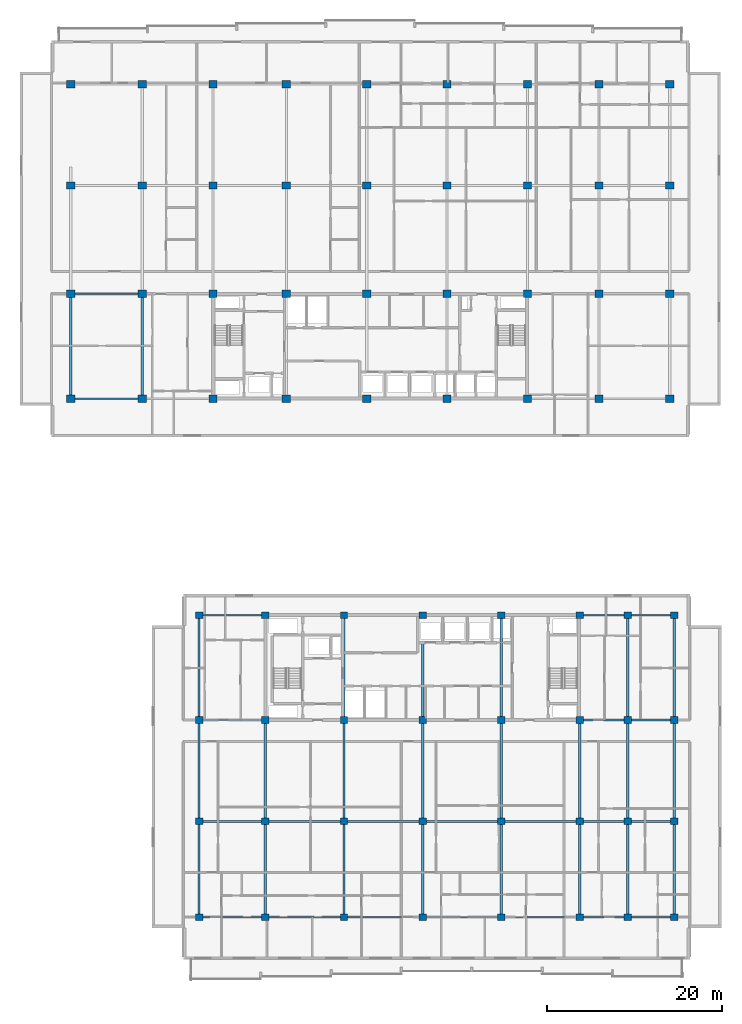
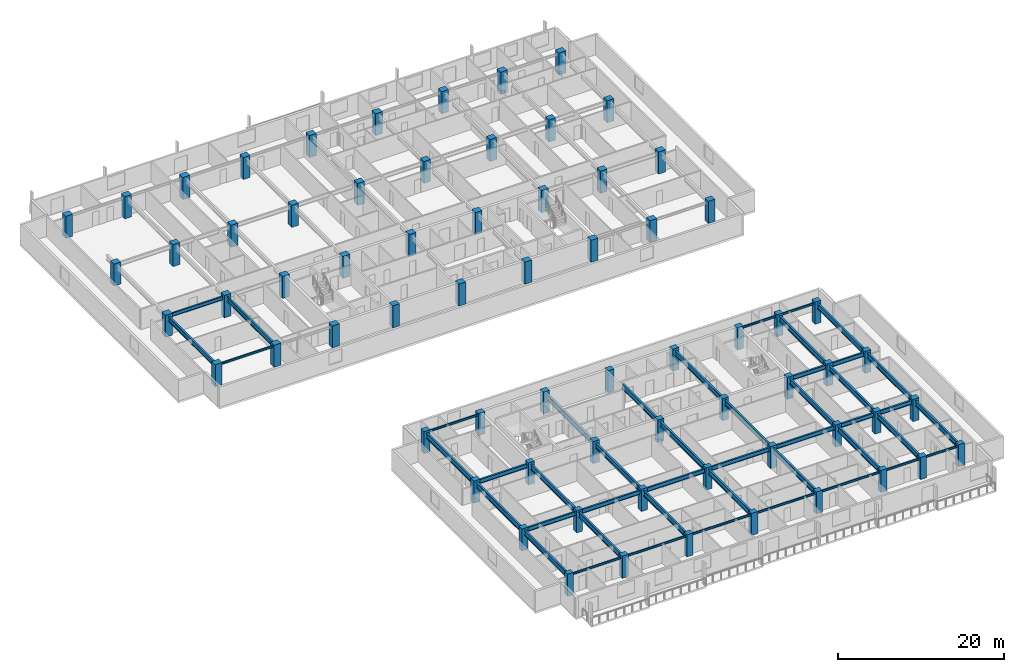
# One storey, part 1 of 22: 68 columns, 46 beams.
"""IFC4 building model written with IfcOpenShell, lengths in metres."""

from ifc_helpers import new_model, si_unit, direction, frame, origin, origin_2d, place, context, subcontext, project, spatial, rectangle, i_section, extrude, material, material_profile, profile_set, type_object, element, save


model = new_model("IFC4")

# Units and contexts
model_context = context("Model", 3, precision=1e-05, world=origin(), true_north=direction((0.0, 1.0)))
body_context = subcontext(model_context, "Body", "Model", "MODEL_VIEW")
ifc_project = project(units=[si_unit("LENGTHUNIT", "METRE"), si_unit("AREAUNIT", "SQUARE_METRE"), si_unit("VOLUMEUNIT", "CUBIC_METRE"), si_unit("PLANEANGLEUNIT", "RADIAN"), si_unit("MASSUNIT", "GRAM", prefix="KILO")], contexts=[model_context])

# Site, building, storey
site_placement = place(None, origin())
site = spatial("IfcSite", under=ifc_project, at=site_placement, CompositionType="ELEMENT")
building_placement = place(site_placement, origin())
building = spatial("IfcBuilding", under=site, at=building_placement, Name="Korimba Cascade Residences", CompositionType="ELEMENT")
storey_placement = place(building_placement, frame((0.0, 0.0, 126.300048828125)))
storey = spatial("IfcBuildingStorey", under=building, at=storey_placement, Name="L36", CompositionType="ELEMENT", Elevation=126.300048828125)

# Columns
ifc_material_1 = material(Name="Concrete C65/80", Category="concrete")
ifc_material_profile_1 = material_profile(ifc_material_1, rectangle(XDim=0.85009765625, YDim=0.75, at=origin_2d()), Name="Concrete C65/80")
ifc_profile_set_1 = profile_set([ifc_material_profile_1], Name="Concrete C65/80")
column_type_1 = type_object("IfcColumnType", Name="COL-RC-850", PredefinedType="COLUMN", material=ifc_profile_set_1)
for number, where, z_axis, x_axis, name in (
    (1, (74.5, -4.199951171875, 0.0), (0.0, 0.0, 1.0), (1.0, 0.0, 0.0), "L36 Tower 2 Column 1.1"),
    (2, (74.5, 6.800048828125, 0.0), (0.0, 0.0, 1.0), (1.0, 0.0, 0.0), "L36 Tower 2 Column 1.2"),
    (3, (74.5, 18.39990234375, 0.0), (0.0, 0.0, 1.0), (1.0, 0.0, 0.0), "L36 Tower 2 Column 1.3"),
    (4, (74.5, 30.39990234375, 0.0), (0.0, 0.0, 1.0), (1.0, 0.0, 0.0), "L36 Tower 2 Column 1.4"),
    (5, (82.10009765625, -4.199951171875, 0.0), (0.0, 0.0, 1.0), (1.0, 0.0, 0.0), "L36 Tower 2 Column 2.1"),
    (6, (82.10009765625, 6.800048828125, 0.0), (0.0, 0.0, 1.0), (1.0, 0.0, 0.0), "L36 Tower 2 Column 2.2"),
    (7, (82.10009765625, 18.39990234375, 0.0), (0.0, 0.0, 1.0), (1.0, 0.0, 0.0), "L36 Tower 2 Column 2.3"),
    (8, (82.10009765625, 30.39990234375, 0.0), (0.0, 0.0, 1.0), (1.0, 0.0, 0.0), "L36 Tower 2 Column 2.4"),
    (9, (91.10009765625, -4.199951171875, 0.0), (0.0, 0.0, 1.0), (1.0, 0.0, 0.0), "L36 Tower 2 Column 3.1"),
    (10, (91.10009765625, 6.800048828125, 0.0), (0.0, 0.0, 1.0), (1.0, 0.0, 0.0), "L36 Tower 2 Column 3.2"),
    (11, (91.10009765625, 18.39990234375, 0.0), (0.0, 0.0, 1.0), (1.0, 0.0, 0.0), "L36 Tower 2 Column 3.3"),
    (12, (91.10009765625, 30.39990234375, 0.0), (0.0, 0.0, 1.0), (1.0, 0.0, 0.0), "L36 Tower 2 Column 3.4"),
    (13, (100.10009765625, -4.199951171875, 0.0), (0.0, 0.0, 1.0), (1.0, 0.0, 0.0), "L36 Tower 2 Column 4.1"),
    (14, (100.10009765625, 6.800048828125, 0.0), (0.0, 0.0, 1.0), (1.0, 0.0, 0.0), "L36 Tower 2 Column 4.2"),
    (15, (100.10009765625, 18.39990234375, 0.0), (0.0, 0.0, 1.0), (1.0, 0.0, 0.0), "L36 Tower 2 Column 4.3"),
    (16, (100.10009765625, 30.39990234375, 0.0), (0.0, 0.0, 1.0), (1.0, 0.0, 0.0), "L36 Tower 2 Column 4.4"),
    (17, (109.10009765625, -4.199951171875, 0.0), (0.0, 0.0, 1.0), (1.0, 0.0, 0.0), "L36 Tower 2 Column 5.1"),
    (18, (109.10009765625, 6.800048828125, 0.0), (0.0, 0.0, 1.0), (1.0, 0.0, 0.0), "L36 Tower 2 Column 5.2"),
    (19, (109.10009765625, 18.39990234375, 0.0), (0.0, 0.0, 1.0), (1.0, 0.0, 0.0), "L36 Tower 2 Column 5.3"),
    (20, (109.10009765625, 30.39990234375, 0.0), (0.0, 0.0, 1.0), (1.0, 0.0, 0.0), "L36 Tower 2 Column 5.4"),
    (21, (118.10009765625, -4.199951171875, 0.0), (0.0, 0.0, 1.0), (1.0, 0.0, 0.0), "L36 Tower 2 Column 6.1"),
    (22, (118.10009765625, 6.800048828125, 0.0), (0.0, 0.0, 1.0), (1.0, 0.0, 0.0), "L36 Tower 2 Column 6.2"),
    (23, (118.10009765625, 18.39990234375, 0.0), (0.0, 0.0, 1.0), (1.0, 0.0, 0.0), "L36 Tower 2 Column 6.3"),
    (24, (118.10009765625, 30.39990234375, 0.0), (0.0, 0.0, 1.0), (1.0, 0.0, 0.0), "L36 Tower 2 Column 6.4"),
    (25, (123.60009765625, -4.199951171875, 0.0), (0.0, 0.0, 1.0), (1.0, 0.0, 0.0), "L36 Tower 2 Column 7.1"),
    (26, (123.60009765625, 6.800048828125, 0.0), (0.0, 0.0, 1.0), (1.0, 0.0, 0.0), "L36 Tower 2 Column 7.2"),
    (27, (123.60009765625, 18.39990234375, 0.0), (0.0, 0.0, 1.0), (1.0, 0.0, 0.0), "L36 Tower 2 Column 7.3"),
    (28, (123.60009765625, 30.39990234375, 0.0), (0.0, 0.0, 1.0), (1.0, 0.0, 0.0), "L36 Tower 2 Column 7.4"),
    (29, (128.89990234375, -4.199951171875, 0.0), (0.0, 0.0, 1.0), (1.0, 0.0, 0.0), "L36 Tower 2 Column 8.1"),
    (30, (128.89990234375, 6.800048828125, 0.0), (0.0, 0.0, 1.0), (1.0, 0.0, 0.0), "L36 Tower 2 Column 8.2"),
    (31, (128.89990234375, 18.39990234375, 0.0), (0.0, 0.0, 1.0), (1.0, 0.0, 0.0), "L36 Tower 2 Column 8.3"),
    (32, (128.89990234375, 30.39990234375, 0.0), (0.0, 0.0, 1.0), (1.0, 0.0, 0.0), "L36 Tower 2 Column 8.4"),
):
    element("IfcColumn", number, at=place(storey_placement, frame(where, z_axis=z_axis, x_axis=x_axis)), inside=storey, type_object=column_type_1, Name=name, PredefinedType="COLUMN", context=body_context, shape_type="SweptSolid", body=[
        extrude(rectangle(XDim=0.85009765625, YDim=0.75, at=origin_2d()), origin(), (0.0, 0.0, 1.0), 3.25),
    ])
ifc_material_profile_2 = material_profile(ifc_material_1, rectangle(XDim=0.949951171875, YDim=0.85009765625, at=origin_2d()), Name="Concrete C65/80")
ifc_profile_set_2 = profile_set([ifc_material_profile_2], Name="Concrete C65/80")
column_type_2 = type_object("IfcColumnType", Name="COL-RC-950", PredefinedType="COLUMN", material=ifc_profile_set_2)
for number, where, z_axis, x_axis, name in (
    (33, (59.800048828125, 55.199951171875, 0.0), (0.0, 0.0, 1.0), (1.0, 0.0, 0.0), "L36 Tower 1 Column 1.1"),
    (34, (59.800048828125, 67.199951171875, 0.0), (0.0, 0.0, 1.0), (1.0, 0.0, 0.0), "L36 Tower 1 Column 1.2"),
    (35, (59.800048828125, 79.60009765625, 0.0), (0.0, 0.0, 1.0), (1.0, 0.0, 0.0), "L36 Tower 1 Column 1.3"),
    (36, (59.800048828125, 91.199951171875, 0.0), (0.0, 0.0, 1.0), (1.0, 0.0, 0.0), "L36 Tower 1 Column 1.4"),
    (37, (68.0, 55.199951171875, 0.0), (0.0, 0.0, 1.0), (1.0, 0.0, 0.0), "L36 Tower 1 Column 2.1"),
    (38, (68.0, 67.199951171875, 0.0), (0.0, 0.0, 1.0), (1.0, 0.0, 0.0), "L36 Tower 1 Column 2.2"),
    (39, (68.0, 79.60009765625, 0.0), (0.0, 0.0, 1.0), (1.0, 0.0, 0.0), "L36 Tower 1 Column 2.3"),
    (40, (68.0, 91.199951171875, 0.0), (0.0, 0.0, 1.0), (1.0, 0.0, 0.0), "L36 Tower 1 Column 2.4"),
    (41, (76.10009765625, 55.199951171875, 0.0), (0.0, 0.0, 1.0), (1.0, 0.0, 0.0), "L36 Tower 1 Column 3.1"),
    (42, (76.10009765625, 67.199951171875, 0.0), (0.0, 0.0, 1.0), (1.0, 0.0, 0.0), "L36 Tower 1 Column 3.2"),
    (43, (76.10009765625, 79.60009765625, 0.0), (0.0, 0.0, 1.0), (1.0, 0.0, 0.0), "L36 Tower 1 Column 3.3"),
    (44, (76.10009765625, 91.199951171875, 0.0), (0.0, 0.0, 1.0), (1.0, 0.0, 0.0), "L36 Tower 1 Column 3.4"),
    (45, (84.5, 55.199951171875, 0.0), (0.0, 0.0, 1.0), (1.0, 0.0, 0.0), "L36 Tower 1 Column 4.1"),
    (46, (84.5, 67.199951171875, 0.0), (0.0, 0.0, 1.0), (1.0, 0.0, 0.0), "L36 Tower 1 Column 4.2"),
    (47, (84.5, 79.60009765625, 0.0), (0.0, 0.0, 1.0), (1.0, 0.0, 0.0), "L36 Tower 1 Column 4.3"),
    (48, (84.5, 91.199951171875, 0.0), (0.0, 0.0, 1.0), (1.0, 0.0, 0.0), "L36 Tower 1 Column 4.4"),
    (49, (93.699951171875, 55.199951171875, 0.0), (0.0, 0.0, 1.0), (1.0, 0.0, 0.0), "L36 Tower 1 Column 5.1"),
    (50, (93.699951171875, 67.199951171875, 0.0), (0.0, 0.0, 1.0), (1.0, 0.0, 0.0), "L36 Tower 1 Column 5.2"),
    (51, (93.699951171875, 79.60009765625, 0.0), (0.0, 0.0, 1.0), (1.0, 0.0, 0.0), "L36 Tower 1 Column 5.3"),
    (52, (93.699951171875, 91.199951171875, 0.0), (0.0, 0.0, 1.0), (1.0, 0.0, 0.0), "L36 Tower 1 Column 5.4"),
    (53, (102.89990234375, 55.199951171875, 0.0), (0.0, 0.0, 1.0), (1.0, 0.0, 0.0), "L36 Tower 1 Column 6.1"),
    (54, (102.89990234375, 67.199951171875, 0.0), (0.0, 0.0, 1.0), (1.0, 0.0, 0.0), "L36 Tower 1 Column 6.2"),
    (55, (102.89990234375, 79.60009765625, 0.0), (0.0, 0.0, 1.0), (1.0, 0.0, 0.0), "L36 Tower 1 Column 6.3"),
    (56, (102.89990234375, 91.199951171875, 0.0), (0.0, 0.0, 1.0), (1.0, 0.0, 0.0), "L36 Tower 1 Column 6.4"),
    (57, (112.10009765625, 55.199951171875, 0.0), (0.0, 0.0, 1.0), (1.0, 0.0, 0.0), "L36 Tower 1 Column 7.1"),
    (58, (112.10009765625, 67.199951171875, 0.0), (0.0, 0.0, 1.0), (1.0, 0.0, 0.0), "L36 Tower 1 Column 7.2"),
    (59, (112.10009765625, 79.60009765625, 0.0), (0.0, 0.0, 1.0), (1.0, 0.0, 0.0), "L36 Tower 1 Column 7.3"),
    (60, (112.10009765625, 91.199951171875, 0.0), (0.0, 0.0, 1.0), (1.0, 0.0, 0.0), "L36 Tower 1 Column 7.4"),
    (61, (120.300048828125, 55.199951171875, 0.0), (0.0, 0.0, 1.0), (1.0, 0.0, 0.0), "L36 Tower 1 Column 8.1"),
    (62, (120.300048828125, 67.199951171875, 0.0), (0.0, 0.0, 1.0), (1.0, 0.0, 0.0), "L36 Tower 1 Column 8.2"),
    (63, (120.300048828125, 79.60009765625, 0.0), (0.0, 0.0, 1.0), (1.0, 0.0, 0.0), "L36 Tower 1 Column 8.3"),
    (64, (120.300048828125, 91.199951171875, 0.0), (0.0, 0.0, 1.0), (1.0, 0.0, 0.0), "L36 Tower 1 Column 8.4"),
    (65, (128.39990234375, 55.199951171875, 0.0), (0.0, 0.0, 1.0), (1.0, 0.0, 0.0), "L36 Tower 1 Column 9.1"),
    (66, (128.39990234375, 67.199951171875, 0.0), (0.0, 0.0, 1.0), (1.0, 0.0, 0.0), "L36 Tower 1 Column 9.2"),
    (67, (128.39990234375, 79.60009765625, 0.0), (0.0, 0.0, 1.0), (1.0, 0.0, 0.0), "L36 Tower 1 Column 9.3"),
    (68, (128.39990234375, 91.199951171875, 0.0), (0.0, 0.0, 1.0), (1.0, 0.0, 0.0), "L36 Tower 1 Column 9.4"),
):
    element("IfcColumn", number, at=place(storey_placement, frame(where, z_axis=z_axis, x_axis=x_axis)), inside=storey, type_object=column_type_2, Name=name, PredefinedType="COLUMN", context=body_context, shape_type="SweptSolid", body=[
        extrude(rectangle(XDim=0.949951171875, YDim=0.85009765625, at=origin_2d()), origin(), (0.0, 0.0, 1.0), 3.25),
    ])

# Beams
ifc_material_2 = material(Name="Steel S355", Category="steel")
ifc_material_profile_3 = material_profile(ifc_material_2, i_section(OverallWidth=0.165771484375, OverallDepth=0.306640625, WebThickness=0.006591796875, FlangeThickness=0.01171875, FilletRadius=0.0087890625, at=origin_2d()), Name="Steel S355")
ifc_profile_set_3 = profile_set([ifc_material_profile_3], Name="Steel S355")
beam_type_1 = type_object("IfcBeamType", Name="BM-STL-UB305", PredefinedType="SPANDREL", material=ifc_profile_set_3)
beam_1_placement = place(storey_placement, frame((60.27490234375, 55.199951171875, 2.816650390625), z_axis=(1.0, 0.0, 0.0), x_axis=(0.0, 1.0, 0.0)))
element("IfcBeam", 69, at=beam_1_placement, inside=storey, type_object=beam_type_1, Name="L36 T1 E-W Girder Y1 Bay 1", PredefinedType="SPANDREL", context=body_context, shape_type="SweptSolid", body=[
    extrude(i_section(OverallWidth=0.165771484375, OverallDepth=0.306640625, WebThickness=0.006591796875, FlangeThickness=0.01171875, FilletRadius=0.0087890625, at=origin_2d()), origin(), (0.0, 0.0, 1.0), 7.25),
])
beam_2_placement = place(storey_placement, frame((74.925048828125, -4.199951171875, 2.816650390625), z_axis=(1.0, 0.0, 0.0), x_axis=(0.0, 1.0, 0.0)))
element("IfcBeam", 70, at=beam_2_placement, inside=storey, type_object=beam_type_1, Name="L36 T2 E-W Girder Y1 Bay 1", PredefinedType="SPANDREL", context=body_context, shape_type="SweptSolid", body=[
    extrude(i_section(OverallWidth=0.165771484375, OverallDepth=0.306640625, WebThickness=0.006591796875, FlangeThickness=0.01171875, FilletRadius=0.0087890625, at=origin_2d()), origin(), (0.0, 0.0, 1.0), 6.75),
])
for number, where, z_axis, x_axis, name in (
    (71, (82.52490234375, -4.199951171875, 2.816650390625), (1.0, 0.0, 0.0), (0.0, 1.0, 0.0), "L36 T2 E-W Girder Y1 Bay 2"),
    (72, (91.52490234375, -4.199951171875, 2.816650390625), (1.0, 0.0, 0.0), (0.0, 1.0, 0.0), "L36 T2 E-W Girder Y1 Bay 3"),
    (73, (100.52490234375, -4.199951171875, 2.816650390625), (1.0, 0.0, 0.0), (0.0, 1.0, 0.0), "L36 T2 E-W Girder Y1 Bay 4"),
    (74, (109.52490234375, -4.199951171875, 2.816650390625), (1.0, 0.0, 0.0), (0.0, 1.0, 0.0), "L36 T2 E-W Girder Y1 Bay 5"),
):
    element("IfcBeam", number, at=place(storey_placement, frame(where, z_axis=z_axis, x_axis=x_axis)), inside=storey, type_object=beam_type_1, Name=name, PredefinedType="SPANDREL", context=body_context, shape_type="SweptSolid", body=[
        extrude(i_section(OverallWidth=0.165771484375, OverallDepth=0.306640625, WebThickness=0.006591796875, FlangeThickness=0.01171875, FilletRadius=0.0087890625, at=origin_2d()), origin(), (0.0, 0.0, 1.0), 8.150146484375),
    ])
beam_3_placement = place(storey_placement, frame((118.52490234375, -4.199951171875, 2.816650390625), z_axis=(1.0, 0.0, 0.0), x_axis=(0.0, 1.0, 0.0)))
element("IfcBeam", 75, at=beam_3_placement, inside=storey, type_object=beam_type_1, Name="L36 T2 E-W Girder Y1 Bay 6", PredefinedType="SPANDREL", context=body_context, shape_type="SweptSolid", body=[
    extrude(i_section(OverallWidth=0.165771484375, OverallDepth=0.306640625, WebThickness=0.006591796875, FlangeThickness=0.01171875, FilletRadius=0.0087890625, at=origin_2d()), origin(), (0.0, 0.0, 1.0), 4.650146484375),
])
beam_4_placement = place(storey_placement, frame((124.02490234375, -4.199951171875, 2.816650390625), z_axis=(1.0, 0.0, 0.0), x_axis=(0.0, 1.0, 0.0)))
element("IfcBeam", 76, at=beam_4_placement, inside=storey, type_object=beam_type_1, Name="L36 T2 E-W Girder Y1 Bay 7", PredefinedType="SPANDREL", context=body_context, shape_type="SweptSolid", body=[
    extrude(i_section(OverallWidth=0.165771484375, OverallDepth=0.306640625, WebThickness=0.006591796875, FlangeThickness=0.01171875, FilletRadius=0.0087890625, at=origin_2d()), origin(), (0.0, 0.0, 1.0), 4.4501953125),
])
beam_5_placement = place(storey_placement, frame((74.925048828125, 30.39990234375, 2.816650390625), z_axis=(1.0, 0.0, 0.0), x_axis=(0.0, 1.0, 0.0)))
element("IfcBeam", 77, at=beam_5_placement, inside=storey, type_object=beam_type_1, Name="L36 T2 E-W Girder Y4 Bay 1", PredefinedType="SPANDREL", context=body_context, shape_type="SweptSolid", body=[
    extrude(i_section(OverallWidth=0.165771484375, OverallDepth=0.306640625, WebThickness=0.006591796875, FlangeThickness=0.01171875, FilletRadius=0.0087890625, at=origin_2d()), origin(), (0.0, 0.0, 1.0), 6.75),
])
beam_6_placement = place(storey_placement, frame((118.52490234375, 30.39990234375, 2.816650390625), z_axis=(1.0, 0.0, 0.0), x_axis=(0.0, 1.0, 0.0)))
element("IfcBeam", 78, at=beam_6_placement, inside=storey, type_object=beam_type_1, Name="L36 T2 E-W Girder Y4 Bay 6", PredefinedType="SPANDREL", context=body_context, shape_type="SweptSolid", body=[
    extrude(i_section(OverallWidth=0.165771484375, OverallDepth=0.306640625, WebThickness=0.006591796875, FlangeThickness=0.01171875, FilletRadius=0.0087890625, at=origin_2d()), origin(), (0.0, 0.0, 1.0), 4.650146484375),
])
beam_7_placement = place(storey_placement, frame((124.02490234375, 30.39990234375, 2.816650390625), z_axis=(1.0, 0.0, 0.0), x_axis=(0.0, 1.0, 0.0)))
element("IfcBeam", 79, at=beam_7_placement, inside=storey, type_object=beam_type_1, Name="L36 T2 E-W Girder Y4 Bay 7", PredefinedType="SPANDREL", context=body_context, shape_type="SweptSolid", body=[
    extrude(i_section(OverallWidth=0.165771484375, OverallDepth=0.306640625, WebThickness=0.006591796875, FlangeThickness=0.01171875, FilletRadius=0.0087890625, at=origin_2d()), origin(), (0.0, 0.0, 1.0), 4.4501953125),
])
ifc_material_profile_4 = material_profile(ifc_material_2, i_section(OverallWidth=0.2099609375, OverallDepth=0.53662109375, WebThickness=0.0107421875, FlangeThickness=0.017333984375, FilletRadius=0.0126953125, at=origin_2d()), Name="Steel S355")
ifc_profile_set_4 = profile_set([ifc_material_profile_4], Name="Steel S355")
beam_type_2 = type_object("IfcBeamType", Name="BM-STL-UB533", PredefinedType="BEAM", material=ifc_profile_set_4)
beam_8_placement = place(storey_placement, frame((60.27490234375, 67.199951171875, 2.70166015625), z_axis=(1.0, 0.0, 0.0), x_axis=(0.0, 1.0, 0.0)))
element("IfcBeam", 80, at=beam_8_placement, inside=storey, type_object=beam_type_2, Name="L36 T1 E-W Girder Y2 Bay 1", PredefinedType="BEAM", context=body_context, shape_type="SweptSolid", body=[
    extrude(i_section(OverallWidth=0.2099609375, OverallDepth=0.53662109375, WebThickness=0.0107421875, FlangeThickness=0.017333984375, FilletRadius=0.0126953125, at=origin_2d()), origin(), (0.0, 0.0, 1.0), 7.25),
])
ifc_material_profile_5 = material_profile(ifc_material_2, i_section(OverallWidth=0.22900390625, OverallDepth=0.6123046875, WebThickness=0.011962890625, FlangeThickness=0.01953125, FilletRadius=0.0126953125, at=origin_2d()), Name="Steel S355")
ifc_profile_set_5 = profile_set([ifc_material_profile_5], Name="Steel S355")
beam_type_3 = type_object("IfcBeamType", Name="BM-STL-UB610B", PredefinedType="BEAM", material=ifc_profile_set_5)
beam_9_placement = place(storey_placement, frame((74.925048828125, 6.800048828125, 2.663818359375), z_axis=(1.0, 0.0, 0.0), x_axis=(0.0, 1.0, 0.0)))
element("IfcBeam", 81, at=beam_9_placement, inside=storey, type_object=beam_type_3, Name="L36 T2 E-W Girder Y2 Bay 1", PredefinedType="BEAM", context=body_context, shape_type="SweptSolid", body=[
    extrude(i_section(OverallWidth=0.22900390625, OverallDepth=0.6123046875, WebThickness=0.011962890625, FlangeThickness=0.01953125, FilletRadius=0.0126953125, at=origin_2d()), origin(), (0.0, 0.0, 1.0), 6.75),
])
for number, where, z_axis, x_axis, name in (
    (82, (82.52490234375, 6.800048828125, 2.663818359375), (1.0, 0.0, 0.0), (0.0, 1.0, 0.0), "L36 T2 E-W Girder Y2 Bay 2"),
    (83, (91.52490234375, 6.800048828125, 2.663818359375), (1.0, 0.0, 0.0), (0.0, 1.0, 0.0), "L36 T2 E-W Girder Y2 Bay 3"),
    (84, (100.52490234375, 6.800048828125, 2.663818359375), (1.0, 0.0, 0.0), (0.0, 1.0, 0.0), "L36 T2 E-W Girder Y2 Bay 4"),
    (85, (109.52490234375, 6.800048828125, 2.663818359375), (1.0, 0.0, 0.0), (0.0, 1.0, 0.0), "L36 T2 E-W Girder Y2 Bay 5"),
):
    element("IfcBeam", number, at=place(storey_placement, frame(where, z_axis=z_axis, x_axis=x_axis)), inside=storey, type_object=beam_type_3, Name=name, PredefinedType="BEAM", context=body_context, shape_type="SweptSolid", body=[
        extrude(i_section(OverallWidth=0.22900390625, OverallDepth=0.6123046875, WebThickness=0.011962890625, FlangeThickness=0.01953125, FilletRadius=0.0126953125, at=origin_2d()), origin(), (0.0, 0.0, 1.0), 8.150146484375),
    ])
beam_10_placement = place(storey_placement, frame((118.52490234375, 6.800048828125, 2.663818359375), z_axis=(1.0, 0.0, 0.0), x_axis=(0.0, 1.0, 0.0)))
element("IfcBeam", 86, at=beam_10_placement, inside=storey, type_object=beam_type_3, Name="L36 T2 E-W Girder Y2 Bay 6", PredefinedType="BEAM", context=body_context, shape_type="SweptSolid", body=[
    extrude(i_section(OverallWidth=0.22900390625, OverallDepth=0.6123046875, WebThickness=0.011962890625, FlangeThickness=0.01953125, FilletRadius=0.0126953125, at=origin_2d()), origin(), (0.0, 0.0, 1.0), 4.650146484375),
])
beam_11_placement = place(storey_placement, frame((124.02490234375, 6.800048828125, 2.663818359375), z_axis=(1.0, 0.0, 0.0), x_axis=(0.0, 1.0, 0.0)))
element("IfcBeam", 87, at=beam_11_placement, inside=storey, type_object=beam_type_3, Name="L36 T2 E-W Girder Y2 Bay 7", PredefinedType="BEAM", context=body_context, shape_type="SweptSolid", body=[
    extrude(i_section(OverallWidth=0.22900390625, OverallDepth=0.6123046875, WebThickness=0.011962890625, FlangeThickness=0.01953125, FilletRadius=0.0126953125, at=origin_2d()), origin(), (0.0, 0.0, 1.0), 4.4501953125),
])
beam_12_placement = place(storey_placement, frame((74.925048828125, 18.39990234375, 2.663818359375), z_axis=(1.0, 0.0, 0.0), x_axis=(0.0, 1.0, 0.0)))
element("IfcBeam", 88, at=beam_12_placement, inside=storey, type_object=beam_type_3, Name="L36 T2 E-W Girder Y3 Bay 1", PredefinedType="BEAM", context=body_context, shape_type="SweptSolid", body=[
    extrude(i_section(OverallWidth=0.22900390625, OverallDepth=0.6123046875, WebThickness=0.011962890625, FlangeThickness=0.01953125, FilletRadius=0.0126953125, at=origin_2d()), origin(), (0.0, 0.0, 1.0), 6.75),
])
beam_13_placement = place(storey_placement, frame((118.52490234375, 18.39990234375, 2.663818359375), z_axis=(1.0, 0.0, 0.0), x_axis=(0.0, 1.0, 0.0)))
element("IfcBeam", 89, at=beam_13_placement, inside=storey, type_object=beam_type_3, Name="L36 T2 E-W Girder Y3 Bay 6", PredefinedType="BEAM", context=body_context, shape_type="SweptSolid", body=[
    extrude(i_section(OverallWidth=0.22900390625, OverallDepth=0.6123046875, WebThickness=0.011962890625, FlangeThickness=0.01953125, FilletRadius=0.0126953125, at=origin_2d()), origin(), (0.0, 0.0, 1.0), 4.650146484375),
])
beam_14_placement = place(storey_placement, frame((124.02490234375, 18.39990234375, 2.663818359375), z_axis=(1.0, 0.0, 0.0), x_axis=(0.0, 1.0, 0.0)))
element("IfcBeam", 90, at=beam_14_placement, inside=storey, type_object=beam_type_3, Name="L36 T2 E-W Girder Y3 Bay 7", PredefinedType="BEAM", context=body_context, shape_type="SweptSolid", body=[
    extrude(i_section(OverallWidth=0.22900390625, OverallDepth=0.6123046875, WebThickness=0.011962890625, FlangeThickness=0.01953125, FilletRadius=0.0126953125, at=origin_2d()), origin(), (0.0, 0.0, 1.0), 4.4501953125),
])
ifc_material_profile_6 = material_profile(ifc_material_2, i_section(OverallWidth=0.255859375, OverallDepth=0.69287109375, WebThickness=0.014404296875, FlangeThickness=0.023681640625, FilletRadius=0.01513671875, at=origin_2d()), Name="Steel S355")
ifc_profile_set_6 = profile_set([ifc_material_profile_6], Name="Steel S355")
beam_type_4 = type_object("IfcBeamType", Name="BM-STL-UB686", PredefinedType="BEAM", material=ifc_profile_set_6)
for number, where, z_axis, x_axis, name in (
    (91, (59.800048828125, 55.625, 2.62353515625), (0.0, 1.0, 0.0), (-1.0, 0.0, 0.0), "L36 T1 N-S Girder X1 Seg 1"),
    (92, (68.0, 55.625, 2.62353515625), (0.0, 1.0, 0.0), (-1.0, 0.0, 0.0), "L36 T1 N-S Girder X2 Seg 1"),
):
    element("IfcBeam", number, at=place(storey_placement, frame(where, z_axis=z_axis, x_axis=x_axis)), inside=storey, type_object=beam_type_4, Name=name, PredefinedType="BEAM", context=body_context, shape_type="SweptSolid", body=[
        extrude(i_section(OverallWidth=0.255859375, OverallDepth=0.69287109375, WebThickness=0.014404296875, FlangeThickness=0.023681640625, FilletRadius=0.01513671875, at=origin_2d()), origin(), (0.0, 0.0, 1.0), 11.14990234375),
    ])
ifc_material_profile_7 = material_profile(ifc_material_2, i_section(OverallWidth=0.26806640625, OverallDepth=0.769775390625, WebThickness=0.015625, FlangeThickness=0.025390625, FilletRadius=0.0166015625, at=origin_2d()), Name="Steel S355")
ifc_profile_set_7 = profile_set([ifc_material_profile_7], Name="Steel S355")
beam_type_5 = type_object("IfcBeamType", Name="BM-STL-UB762", PredefinedType="BEAM", material=ifc_profile_set_7)
beam_15_placement = place(storey_placement, frame((74.5, -3.824951171875, 2.5849609375), z_axis=(0.0, 1.0, 0.0), x_axis=(-1.0, 0.0, 0.0)))
element("IfcBeam", 93, at=beam_15_placement, inside=storey, type_object=beam_type_5, Name="L36 T2 N-S Girder X1 Seg 1", PredefinedType="BEAM", context=body_context, shape_type="SweptSolid", body=[
    extrude(i_section(OverallWidth=0.26806640625, OverallDepth=0.769775390625, WebThickness=0.015625, FlangeThickness=0.025390625, FilletRadius=0.0166015625, at=origin_2d()), origin(), (0.0, 0.0, 1.0), 10.25),
])
beam_16_placement = place(storey_placement, frame((74.5, 7.175048828125, 2.5849609375), z_axis=(0.0, 1.0, 0.0), x_axis=(-1.0, 0.0, 0.0)))
element("IfcBeam", 94, at=beam_16_placement, inside=storey, type_object=beam_type_5, Name="L36 T2 N-S Girder X1 Seg 2", PredefinedType="BEAM", context=body_context, shape_type="SweptSolid", body=[
    extrude(i_section(OverallWidth=0.26806640625, OverallDepth=0.769775390625, WebThickness=0.015625, FlangeThickness=0.025390625, FilletRadius=0.0166015625, at=origin_2d()), origin(), (0.0, 0.0, 1.0), 10.849853515625),
])
beam_17_placement = place(storey_placement, frame((74.5, 18.77490234375, 2.5849609375), z_axis=(0.0, 1.0, 0.0), x_axis=(-1.0, 0.0, 0.0)))
element("IfcBeam", 95, at=beam_17_placement, inside=storey, type_object=beam_type_5, Name="L36 T2 N-S Girder X1 Seg 3", PredefinedType="BEAM", context=body_context, shape_type="SweptSolid", body=[
    extrude(i_section(OverallWidth=0.26806640625, OverallDepth=0.769775390625, WebThickness=0.015625, FlangeThickness=0.025390625, FilletRadius=0.0166015625, at=origin_2d()), origin(), (0.0, 0.0, 1.0), 11.25),
])
beam_18_placement = place(storey_placement, frame((82.10009765625, -3.824951171875, 2.5849609375), z_axis=(0.0, 1.0, 0.0), x_axis=(-1.0, 0.0, 0.0)))
element("IfcBeam", 96, at=beam_18_placement, inside=storey, type_object=beam_type_5, Name="L36 T2 N-S Girder X2 Seg 1", PredefinedType="BEAM", context=body_context, shape_type="SweptSolid", body=[
    extrude(i_section(OverallWidth=0.26806640625, OverallDepth=0.769775390625, WebThickness=0.015625, FlangeThickness=0.025390625, FilletRadius=0.0166015625, at=origin_2d()), origin(), (0.0, 0.0, 1.0), 10.25),
])
beam_19_placement = place(storey_placement, frame((82.10009765625, 7.175048828125, 2.5849609375), z_axis=(0.0, 1.0, 0.0), x_axis=(-1.0, 0.0, 0.0)))
element("IfcBeam", 97, at=beam_19_placement, inside=storey, type_object=beam_type_5, Name="L36 T2 N-S Girder X2 Seg 2", PredefinedType="BEAM", context=body_context, shape_type="SweptSolid", body=[
    extrude(i_section(OverallWidth=0.26806640625, OverallDepth=0.769775390625, WebThickness=0.015625, FlangeThickness=0.025390625, FilletRadius=0.0166015625, at=origin_2d()), origin(), (0.0, 0.0, 1.0), 10.849853515625),
])
beam_20_placement = place(storey_placement, frame((91.10009765625, -3.824951171875, 2.5849609375), z_axis=(0.0, 1.0, 0.0), x_axis=(-1.0, 0.0, 0.0)))
element("IfcBeam", 98, at=beam_20_placement, inside=storey, type_object=beam_type_5, Name="L36 T2 N-S Girder X3 Seg 1", PredefinedType="BEAM", context=body_context, shape_type="SweptSolid", body=[
    extrude(i_section(OverallWidth=0.26806640625, OverallDepth=0.769775390625, WebThickness=0.015625, FlangeThickness=0.025390625, FilletRadius=0.0166015625, at=origin_2d()), origin(), (0.0, 0.0, 1.0), 10.25),
])
beam_21_placement = place(storey_placement, frame((91.10009765625, 7.175048828125, 2.5849609375), z_axis=(0.0, 1.0, 0.0), x_axis=(-1.0, 0.0, 0.0)))
element("IfcBeam", 99, at=beam_21_placement, inside=storey, type_object=beam_type_5, Name="L36 T2 N-S Girder X3 Seg 2", PredefinedType="BEAM", context=body_context, shape_type="SweptSolid", body=[
    extrude(i_section(OverallWidth=0.26806640625, OverallDepth=0.769775390625, WebThickness=0.015625, FlangeThickness=0.025390625, FilletRadius=0.0166015625, at=origin_2d()), origin(), (0.0, 0.0, 1.0), 10.849853515625),
])
beam_22_placement = place(storey_placement, frame((91.10009765625, 18.77490234375, 2.5849609375), z_axis=(0.0, 1.0, 0.0), x_axis=(-1.0, 0.0, 0.0)))
element("IfcBeam", 100, at=beam_22_placement, inside=storey, type_object=beam_type_5, Name="L36 T2 N-S Girder X3 Seg 3", PredefinedType="BEAM", context=body_context, shape_type="SweptSolid", body=[
    extrude(i_section(OverallWidth=0.26806640625, OverallDepth=0.769775390625, WebThickness=0.015625, FlangeThickness=0.025390625, FilletRadius=0.0166015625, at=origin_2d()), origin(), (0.0, 0.0, 1.0), 11.25),
])
beam_23_placement = place(storey_placement, frame((100.10009765625, -3.824951171875, 2.5849609375), z_axis=(0.0, 1.0, 0.0), x_axis=(-1.0, 0.0, 0.0)))
element("IfcBeam", 101, at=beam_23_placement, inside=storey, type_object=beam_type_5, Name="L36 T2 N-S Girder X4 Seg 1", PredefinedType="BEAM", context=body_context, shape_type="SweptSolid", body=[
    extrude(i_section(OverallWidth=0.26806640625, OverallDepth=0.769775390625, WebThickness=0.015625, FlangeThickness=0.025390625, FilletRadius=0.0166015625, at=origin_2d()), origin(), (0.0, 0.0, 1.0), 10.25),
])
beam_24_placement = place(storey_placement, frame((100.10009765625, 7.175048828125, 2.5849609375), z_axis=(0.0, 1.0, 0.0), x_axis=(-1.0, 0.0, 0.0)))
element("IfcBeam", 102, at=beam_24_placement, inside=storey, type_object=beam_type_5, Name="L36 T2 N-S Girder X4 Seg 2", PredefinedType="BEAM", context=body_context, shape_type="SweptSolid", body=[
    extrude(i_section(OverallWidth=0.26806640625, OverallDepth=0.769775390625, WebThickness=0.015625, FlangeThickness=0.025390625, FilletRadius=0.0166015625, at=origin_2d()), origin(), (0.0, 0.0, 1.0), 10.849853515625),
])
beam_25_placement = place(storey_placement, frame((100.10009765625, 18.77490234375, 2.5849609375), z_axis=(0.0, 1.0, 0.0), x_axis=(-1.0, 0.0, 0.0)))
element("IfcBeam", 103, at=beam_25_placement, inside=storey, type_object=beam_type_5, Name="L36 T2 N-S Girder X4 Seg 3", PredefinedType="BEAM", context=body_context, shape_type="SweptSolid", body=[
    extrude(i_section(OverallWidth=0.26806640625, OverallDepth=0.769775390625, WebThickness=0.015625, FlangeThickness=0.025390625, FilletRadius=0.0166015625, at=origin_2d()), origin(), (0.0, 0.0, 1.0), 8.565185546875),
])
beam_26_placement = place(storey_placement, frame((109.10009765625, -3.824951171875, 2.5849609375), z_axis=(0.0, 1.0, 0.0), x_axis=(-1.0, 0.0, 0.0)))
element("IfcBeam", 104, at=beam_26_placement, inside=storey, type_object=beam_type_5, Name="L36 T2 N-S Girder X5 Seg 1", PredefinedType="BEAM", context=body_context, shape_type="SweptSolid", body=[
    extrude(i_section(OverallWidth=0.26806640625, OverallDepth=0.769775390625, WebThickness=0.015625, FlangeThickness=0.025390625, FilletRadius=0.0166015625, at=origin_2d()), origin(), (0.0, 0.0, 1.0), 10.25),
])
beam_27_placement = place(storey_placement, frame((109.10009765625, 7.175048828125, 2.5849609375), z_axis=(0.0, 1.0, 0.0), x_axis=(-1.0, 0.0, 0.0)))
element("IfcBeam", 105, at=beam_27_placement, inside=storey, type_object=beam_type_5, Name="L36 T2 N-S Girder X5 Seg 2", PredefinedType="BEAM", context=body_context, shape_type="SweptSolid", body=[
    extrude(i_section(OverallWidth=0.26806640625, OverallDepth=0.769775390625, WebThickness=0.015625, FlangeThickness=0.025390625, FilletRadius=0.0166015625, at=origin_2d()), origin(), (0.0, 0.0, 1.0), 10.849853515625),
])
beam_28_placement = place(storey_placement, frame((109.10009765625, 18.77490234375, 2.5849609375), z_axis=(0.0, 1.0, 0.0), x_axis=(-1.0, 0.0, 0.0)))
element("IfcBeam", 106, at=beam_28_placement, inside=storey, type_object=beam_type_5, Name="L36 T2 N-S Girder X5 Seg 3", PredefinedType="BEAM", context=body_context, shape_type="SweptSolid", body=[
    extrude(i_section(OverallWidth=0.26806640625, OverallDepth=0.769775390625, WebThickness=0.015625, FlangeThickness=0.025390625, FilletRadius=0.0166015625, at=origin_2d()), origin(), (0.0, 0.0, 1.0), 11.25),
])
beam_29_placement = place(storey_placement, frame((118.10009765625, -3.824951171875, 2.5849609375), z_axis=(0.0, 1.0, 0.0), x_axis=(-1.0, 0.0, 0.0)))
element("IfcBeam", 107, at=beam_29_placement, inside=storey, type_object=beam_type_5, Name="L36 T2 N-S Girder X6 Seg 1", PredefinedType="BEAM", context=body_context, shape_type="SweptSolid", body=[
    extrude(i_section(OverallWidth=0.26806640625, OverallDepth=0.769775390625, WebThickness=0.015625, FlangeThickness=0.025390625, FilletRadius=0.0166015625, at=origin_2d()), origin(), (0.0, 0.0, 1.0), 10.25),
])
beam_30_placement = place(storey_placement, frame((118.10009765625, 7.175048828125, 2.5849609375), z_axis=(0.0, 1.0, 0.0), x_axis=(-1.0, 0.0, 0.0)))
element("IfcBeam", 108, at=beam_30_placement, inside=storey, type_object=beam_type_5, Name="L36 T2 N-S Girder X6 Seg 2", PredefinedType="BEAM", context=body_context, shape_type="SweptSolid", body=[
    extrude(i_section(OverallWidth=0.26806640625, OverallDepth=0.769775390625, WebThickness=0.015625, FlangeThickness=0.025390625, FilletRadius=0.0166015625, at=origin_2d()), origin(), (0.0, 0.0, 1.0), 10.849853515625),
])
beam_31_placement = place(storey_placement, frame((123.60009765625, -3.824951171875, 2.5849609375), z_axis=(0.0, 1.0, 0.0), x_axis=(-1.0, 0.0, 0.0)))
element("IfcBeam", 109, at=beam_31_placement, inside=storey, type_object=beam_type_5, Name="L36 T2 N-S Girder X7 Seg 1", PredefinedType="BEAM", context=body_context, shape_type="SweptSolid", body=[
    extrude(i_section(OverallWidth=0.26806640625, OverallDepth=0.769775390625, WebThickness=0.015625, FlangeThickness=0.025390625, FilletRadius=0.0166015625, at=origin_2d()), origin(), (0.0, 0.0, 1.0), 10.25),
])
beam_32_placement = place(storey_placement, frame((123.60009765625, 7.175048828125, 2.5849609375), z_axis=(0.0, 1.0, 0.0), x_axis=(-1.0, 0.0, 0.0)))
element("IfcBeam", 110, at=beam_32_placement, inside=storey, type_object=beam_type_5, Name="L36 T2 N-S Girder X7 Seg 2", PredefinedType="BEAM", context=body_context, shape_type="SweptSolid", body=[
    extrude(i_section(OverallWidth=0.26806640625, OverallDepth=0.769775390625, WebThickness=0.015625, FlangeThickness=0.025390625, FilletRadius=0.0166015625, at=origin_2d()), origin(), (0.0, 0.0, 1.0), 10.849853515625),
])
beam_33_placement = place(storey_placement, frame((123.60009765625, 18.77490234375, 2.5849609375), z_axis=(0.0, 1.0, 0.0), x_axis=(-1.0, 0.0, 0.0)))
element("IfcBeam", 111, at=beam_33_placement, inside=storey, type_object=beam_type_5, Name="L36 T2 N-S Girder X7 Seg 3", PredefinedType="BEAM", context=body_context, shape_type="SweptSolid", body=[
    extrude(i_section(OverallWidth=0.26806640625, OverallDepth=0.769775390625, WebThickness=0.015625, FlangeThickness=0.025390625, FilletRadius=0.0166015625, at=origin_2d()), origin(), (0.0, 0.0, 1.0), 11.25),
])
beam_34_placement = place(storey_placement, frame((128.89990234375, -3.824951171875, 2.5849609375), z_axis=(0.0, 1.0, 0.0), x_axis=(-1.0, 0.0, 0.0)))
element("IfcBeam", 112, at=beam_34_placement, inside=storey, type_object=beam_type_5, Name="L36 T2 N-S Girder X8 Seg 1", PredefinedType="BEAM", context=body_context, shape_type="SweptSolid", body=[
    extrude(i_section(OverallWidth=0.26806640625, OverallDepth=0.769775390625, WebThickness=0.015625, FlangeThickness=0.025390625, FilletRadius=0.0166015625, at=origin_2d()), origin(), (0.0, 0.0, 1.0), 10.25),
])
beam_35_placement = place(storey_placement, frame((128.89990234375, 7.175048828125, 2.5849609375), z_axis=(0.0, 1.0, 0.0), x_axis=(-1.0, 0.0, 0.0)))
element("IfcBeam", 113, at=beam_35_placement, inside=storey, type_object=beam_type_5, Name="L36 T2 N-S Girder X8 Seg 2", PredefinedType="BEAM", context=body_context, shape_type="SweptSolid", body=[
    extrude(i_section(OverallWidth=0.26806640625, OverallDepth=0.769775390625, WebThickness=0.015625, FlangeThickness=0.025390625, FilletRadius=0.0166015625, at=origin_2d()), origin(), (0.0, 0.0, 1.0), 10.849853515625),
])
beam_36_placement = place(storey_placement, frame((128.89990234375, 18.77490234375, 2.5849609375), z_axis=(0.0, 1.0, 0.0), x_axis=(-1.0, 0.0, 0.0)))
element("IfcBeam", 114, at=beam_36_placement, inside=storey, type_object=beam_type_5, Name="L36 T2 N-S Girder X8 Seg 3", PredefinedType="BEAM", context=body_context, shape_type="SweptSolid", body=[
    extrude(i_section(OverallWidth=0.26806640625, OverallDepth=0.769775390625, WebThickness=0.015625, FlangeThickness=0.025390625, FilletRadius=0.0166015625, at=origin_2d()), origin(), (0.0, 0.0, 1.0), 11.25),
])

save(model, "model.ifc")
